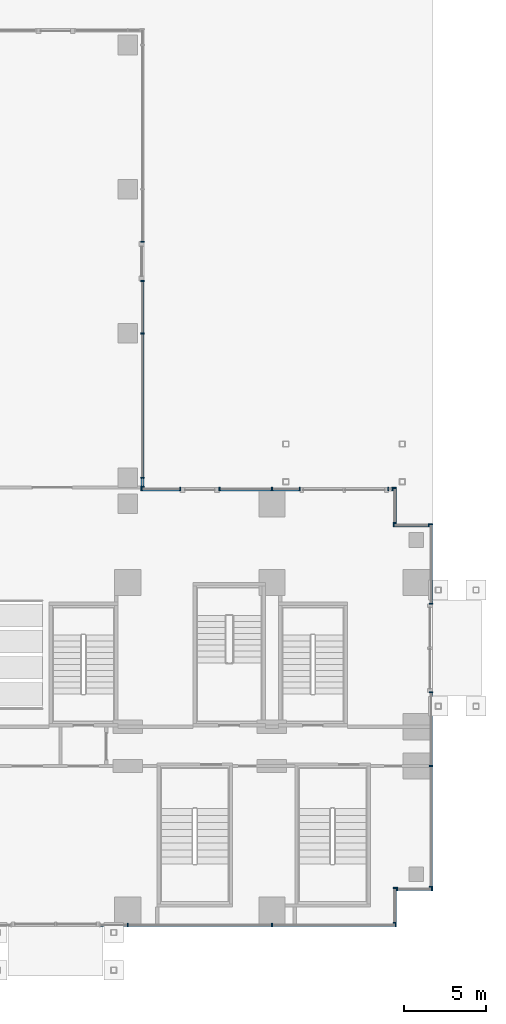
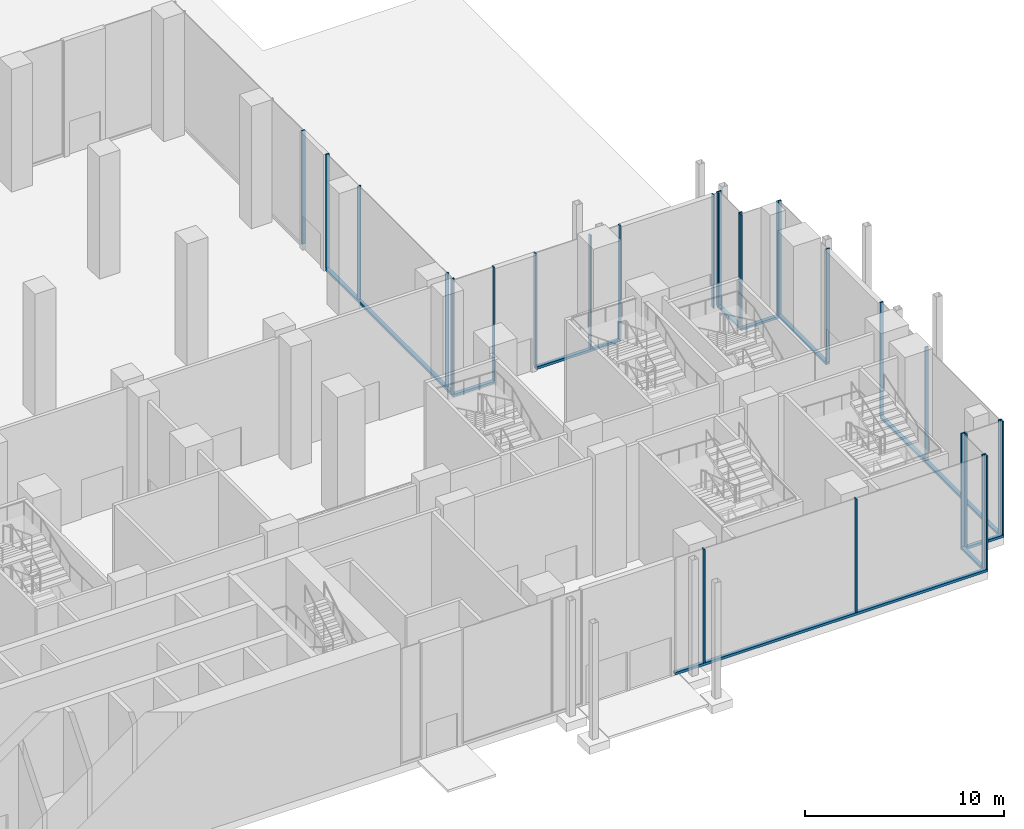
# One storey, part 13 of 41: 38 members, 12 elements without a shape of their own.
"""IFC4 building model written with IfcOpenShell, lengths in metres."""

from ifc_helpers import new_model, si_unit, direction, frame, origin, origin_2d, place, context, subcontext, project, spatial, rectangle, extrude, source, transform, mapped, material, material_profile, profile_set, type_object, element, aggregate, save


model = new_model("IFC4")

# Units and contexts
model_context = context("Model", 3, precision=1e-05, world=origin(), true_north=direction((0.0, 1.0)))
body_context = subcontext(model_context, "Body", "Model", "MODEL_VIEW")
ifc_project = project(units=[si_unit("LENGTHUNIT", "METRE"), si_unit("AREAUNIT", "SQUARE_METRE"), si_unit("VOLUMEUNIT", "CUBIC_METRE"), si_unit("PLANEANGLEUNIT", "RADIAN"), si_unit("MASSUNIT", "GRAM", prefix="KILO")], contexts=[model_context])

# Site, building, storey
site_placement = place(None, origin())
site = spatial("IfcSite", under=ifc_project, at=site_placement, CompositionType="ELEMENT")
building_placement = place(site_placement, origin())
building = spatial("IfcBuilding", under=site, at=building_placement, Name="Kemantara Hotel Tower", CompositionType="ELEMENT")
storey_placement = place(building_placement, origin())
storey = spatial("IfcBuildingStorey", under=building, at=storey_placement, Name="L00", CompositionType="ELEMENT", Elevation=0.0)

# Curtain wall, member
ifc_material_1 = material(Name="Laminated tinted insulated glass 44 mm", Category="glass")
curtain_wall_type = type_object("IfcCurtainWallType", Name="PODIUM GLASS CURTAIN WALL", PredefinedType="USERDEFINED", material=ifc_material_1)
curtain_wall_1_placement = place(storey_placement, origin())
curtain_wall_1 = element("IfcCurtainWall", 1, at=curtain_wall_1_placement, inside=storey, type_object=curtain_wall_type, Name="CW1 L00 POD-R01-5", ObjectType="PODIUM GLASS CURTAIN WALL", PredefinedType="USERDEFINED")
ifc_material_2 = material(Name="Aluminium 6063-T6 bronze anodised", Category="aluminium")
ifc_material_profile_1 = material_profile(ifc_material_2, rectangle(XDim=0.199951171875, YDim=0.14990234375, at=origin_2d()), Name="PODIUM GLASS CURTAIN WALL TRANSOM")
ifc_profile_set_1 = profile_set([ifc_material_profile_1], Name="Aluminium 6063-T6 bronze anodised")
member_type_1 = type_object("IfcMemberType", Name="PODIUM GLASS CURTAIN WALL TRANSOM", PredefinedType="USERDEFINED", material=ifc_profile_set_1)
member_1_placement = place(storey_placement, frame((60.89990234375, 0.10009765625, 0.074951171875), z_axis=(1.0, 0.0, 0.0), x_axis=(0.0, 1.0, 0.0)))
member_1 = element("IfcMember", 2, at=member_1_placement, type_object=member_type_1, Name="CW1 sill transom POD-R01-5", ObjectType="TRANSOM", PredefinedType="USERDEFINED", context=body_context, shape_type="SweptSolid", body=[
    extrude(rectangle(XDim=0.199951171875, YDim=0.14990234375, at=origin_2d()), origin(), (0.0, 0.0, 1.0), 18.10009765625),
])

curtain_wall_2_placement = place(storey_placement, origin())
curtain_wall_2 = element("IfcCurtainWall", 3, at=curtain_wall_2_placement, inside=storey, type_object=curtain_wall_type, Name="CW1 L00 POD-R04-1", ObjectType="PODIUM GLASS CURTAIN WALL", PredefinedType="USERDEFINED")
member_2_placement = place(storey_placement, frame((81.10009765625, 2.39990234375, 0.074951171875), z_axis=(0.0, 1.0, 0.0), x_axis=(-1.0, 0.0, 0.0)))
member_2 = element("IfcMember", 4, at=member_2_placement, type_object=member_type_1, Name="CW1 sill transom POD-R04-1", ObjectType="TRANSOM", PredefinedType="USERDEFINED", context=body_context, shape_type="SweptSolid", body=[
    extrude(rectangle(XDim=0.199951171875, YDim=0.14990234375, at=origin_2d()), origin(), (0.0, 0.0, 1.0), 11.900146484375),
])

curtain_wall_3_placement = place(storey_placement, origin())
curtain_wall_3 = element("IfcCurtainWall", 5, at=curtain_wall_3_placement, inside=storey, type_object=curtain_wall_type, Name="CW1 L00 POD-R04-2", ObjectType="PODIUM GLASS CURTAIN WALL", PredefinedType="USERDEFINED")
member_3_placement = place(storey_placement, frame((81.10009765625, 19.699951171875, 0.074951171875), z_axis=(0.0, 1.0, 0.0), x_axis=(-1.0, 0.0, 0.0)))
member_3 = element("IfcMember", 6, at=member_3_placement, type_object=member_type_1, Name="CW1 sill transom POD-R04-2", ObjectType="TRANSOM", PredefinedType="USERDEFINED", context=body_context, shape_type="SweptSolid", body=[
    extrude(rectangle(XDim=0.199951171875, YDim=0.14990234375, at=origin_2d()), origin(), (0.0, 0.0, 1.0), 4.900146484375),
])

curtain_wall_4_placement = place(storey_placement, origin())
curtain_wall_4 = element("IfcCurtainWall", 7, at=curtain_wall_4_placement, inside=storey, type_object=curtain_wall_type, Name="CW1 L00 POD-R07-2", ObjectType="PODIUM GLASS CURTAIN WALL", PredefinedType="USERDEFINED")
member_4_placement = place(storey_placement, frame((73.10009765625, 26.699951171875, 0.074951171875), z_axis=(-1.0, 0.0, 0.0), x_axis=(0.0, -1.0, 0.0)))
member_4 = element("IfcMember", 8, at=member_4_placement, type_object=member_type_1, Name="CW1 sill transom POD-R07-2", ObjectType="TRANSOM", PredefinedType="USERDEFINED", context=body_context, shape_type="SweptSolid", body=[
    extrude(rectangle(XDim=0.199951171875, YDim=0.14990234375, at=origin_2d()), origin(), (0.0, 0.0, 1.0), 4.900146484375),
])

curtain_wall_5_placement = place(storey_placement, origin())
curtain_wall_5 = element("IfcCurtainWall", 9, at=curtain_wall_5_placement, inside=storey, type_object=curtain_wall_type, Name="CW1 L00 POD-R07-3", ObjectType="PODIUM GLASS CURTAIN WALL", PredefinedType="USERDEFINED")
member_5_placement = place(storey_placement, frame((65.800048828125, 26.699951171875, 0.074951171875), z_axis=(-1.0, 0.0, 0.0), x_axis=(0.0, -1.0, 0.0)))
member_5 = element("IfcMember", 10, at=member_5_placement, type_object=member_type_1, Name="CW1 sill transom POD-R07-3", ObjectType="TRANSOM", PredefinedType="USERDEFINED", context=body_context, shape_type="SweptSolid", body=[
    extrude(rectangle(XDim=0.199951171875, YDim=0.14990234375, at=origin_2d()), origin(), (0.0, 0.0, 1.0), 2.400146484375),
])

curtain_wall_6_placement = place(storey_placement, origin())
curtain_wall_6 = element("IfcCurtainWall", 11, at=curtain_wall_6_placement, inside=storey, type_object=curtain_wall_type, Name="CW1 L00 POD-R08-1", ObjectType="PODIUM GLASS CURTAIN WALL", PredefinedType="USERDEFINED")
member_6_placement = place(storey_placement, frame((63.5, 26.800048828125, 0.074951171875), z_axis=(0.0, 1.0, 0.0), x_axis=(-1.0, 0.0, 0.0)))
member_6 = element("IfcMember", 12, at=member_6_placement, type_object=member_type_1, Name="CW1 sill transom POD-R08-1", ObjectType="TRANSOM", PredefinedType="USERDEFINED", context=body_context, shape_type="SweptSolid", body=[
    extrude(rectangle(XDim=0.199951171875, YDim=0.14990234375, at=origin_2d()), origin(), (0.0, 0.0, 1.0), 12.599853515625),
])

curtain_wall_7_placement = place(storey_placement, origin())
curtain_wall_7 = element("IfcCurtainWall", 13, at=curtain_wall_7_placement, inside=storey, type_object=curtain_wall_type, Name="CW1 L00 POD-R02-1", ObjectType="PODIUM GLASS CURTAIN WALL", PredefinedType="USERDEFINED")
member_7_placement = place(storey_placement, frame((78.89990234375, 0.199951171875, 0.074951171875), z_axis=(0.0, 1.0, 0.0), x_axis=(-1.0, 0.0, 0.0)))
member_7 = element("IfcMember", 14, at=member_7_placement, type_object=member_type_1, Name="CW1 sill transom POD-R02-1", ObjectType="TRANSOM", PredefinedType="USERDEFINED", context=body_context, shape_type="SweptSolid", body=[
    extrude(rectangle(XDim=0.199951171875, YDim=0.14990234375, at=origin_2d()), origin(), (0.0, 0.0, 1.0), 2.199951171875),
])

curtain_wall_8_placement = place(storey_placement, origin())
curtain_wall_8 = element("IfcCurtainWall", 15, at=curtain_wall_8_placement, inside=storey, type_object=curtain_wall_type, Name="CW1 L00 POD-R03-1", ObjectType="PODIUM GLASS CURTAIN WALL", PredefinedType="USERDEFINED")
member_8_placement = place(storey_placement, frame((79.0, 2.300048828125, 0.074951171875), z_axis=(1.0, 0.0, 0.0), x_axis=(0.0, 1.0, 0.0)))
member_8 = element("IfcMember", 16, at=member_8_placement, type_object=member_type_1, Name="CW1 sill transom POD-R03-1", ObjectType="TRANSOM", PredefinedType="USERDEFINED", context=body_context, shape_type="SweptSolid", body=[
    extrude(rectangle(XDim=0.199951171875, YDim=0.14990234375, at=origin_2d()), origin(), (0.0, 0.0, 1.0), 2.199951171875),
])

curtain_wall_9_placement = place(storey_placement, origin())
curtain_wall_9 = element("IfcCurtainWall", 17, at=curtain_wall_9_placement, inside=storey, type_object=curtain_wall_type, Name="CW1 L00 POD-R05-1", ObjectType="PODIUM GLASS CURTAIN WALL", PredefinedType="USERDEFINED")
member_9_placement = place(storey_placement, frame((81.0, 24.5, 0.074951171875), z_axis=(-1.0, 0.0, 0.0), x_axis=(0.0, -1.0, 0.0)))
member_9 = element("IfcMember", 18, at=member_9_placement, type_object=member_type_1, Name="CW1 sill transom POD-R05-1", ObjectType="TRANSOM", PredefinedType="USERDEFINED", context=body_context, shape_type="SweptSolid", body=[
    extrude(rectangle(XDim=0.199951171875, YDim=0.14990234375, at=origin_2d()), origin(), (0.0, 0.0, 1.0), 2.199951171875),
])

curtain_wall_10_placement = place(storey_placement, origin())
curtain_wall_10 = element("IfcCurtainWall", 19, at=curtain_wall_10_placement, inside=storey, type_object=curtain_wall_type, Name="CW1 L00 POD-R06-1", ObjectType="PODIUM GLASS CURTAIN WALL", PredefinedType="USERDEFINED")
member_10_placement = place(storey_placement, frame((78.89990234375, 24.60009765625, 0.074951171875), z_axis=(0.0, 1.0, 0.0), x_axis=(-1.0, 0.0, 0.0)))
member_10 = element("IfcMember", 20, at=member_10_placement, type_object=member_type_1, Name="CW1 sill transom POD-R06-1", ObjectType="TRANSOM", PredefinedType="USERDEFINED", context=body_context, shape_type="SweptSolid", body=[
    extrude(rectangle(XDim=0.199951171875, YDim=0.14990234375, at=origin_2d()), origin(), (0.0, 0.0, 1.0), 2.199951171875),
])

# Member
ifc_material_profile_2 = material_profile(ifc_material_2, rectangle(XDim=0.199951171875, YDim=0.074951171875, at=origin_2d()), Name="PODIUM GLASS CURTAIN WALL MULLION")
ifc_profile_set_2 = profile_set([ifc_material_profile_2], Name="Aluminium 6063-T6 bronze anodised")
member_type_2 = type_object("IfcMemberType", Name="PODIUM GLASS CURTAIN WALL MULLION", PredefinedType="MULLION", material=ifc_profile_set_2)
shared_shape = source(origin(), body_context, "Body", "SweptSolid", [
    extrude(rectangle(XDim=0.199951171875, YDim=0.074951171875, at=origin_2d()), origin(), (0.0, 0.0, 1.0), 6.9501953125),
])
member_11_placement = place(storey_placement, frame((62.60009765625, 0.10009765625, 0.14990234375), z_axis=(0.0, 0.0, 1.0), x_axis=(0.0, 1.0, 0.0)))
member_11 = element("IfcMember", 21, at=member_11_placement, type_object=member_type_2, Name="CW1 mullion POD-R01-5.2", PredefinedType="MULLION", context=body_context, shape_type="MappedRepresentation", body=[
    mapped(shared_shape, transform((0.0, 0.0, 0.0))),
])

member_12_placement = place(storey_placement, frame((71.39990234375, 0.10009765625, 0.14990234375), z_axis=(0.0, 0.0, 1.0), x_axis=(0.0, 1.0, 0.0)))
member_12 = element("IfcMember", 22, at=member_12_placement, type_object=member_type_2, Name="CW1 mullion POD-R01-5.3", PredefinedType="MULLION", context=body_context, shape_type="MappedRepresentation", body=[
    mapped(shared_shape, transform((0.0, 0.0, 0.0))),
])

member_13_placement = place(storey_placement, frame((78.96240234375, 0.10009765625, 0.14990234375), z_axis=(0.0, 0.0, 1.0), x_axis=(0.0, 1.0, 0.0)))
member_13 = element("IfcMember", 23, at=member_13_placement, type_object=member_type_2, Name="CW1 mullion POD-R01-5.4", PredefinedType="MULLION", context=body_context, shape_type="MappedRepresentation", body=[
    mapped(shared_shape, transform((0.0, 0.0, 0.0))),
])

aggregate(curtain_wall_1, [member_1, member_11, member_12, member_13])

member_14_placement = place(storey_placement, frame((81.10009765625, 2.4375, 0.14990234375), z_axis=(0.0, 0.0, 1.0), x_axis=(-1.0, 0.0, 0.0)))
member_14 = element("IfcMember", 24, at=member_14_placement, type_object=member_type_2, Name="CW1 mullion POD-R04-1.1", PredefinedType="MULLION", context=body_context, shape_type="MappedRepresentation", body=[
    mapped(shared_shape, transform((0.0, 0.0, 0.0))),
])

member_15_placement = place(storey_placement, frame((81.10009765625, 9.800048828125, 0.14990234375), z_axis=(0.0, 0.0, 1.0), x_axis=(-1.0, 0.0, 0.0)))
member_15 = element("IfcMember", 25, at=member_15_placement, type_object=member_type_2, Name="CW1 mullion POD-R04-1.2", PredefinedType="MULLION", context=body_context, shape_type="MappedRepresentation", body=[
    mapped(shared_shape, transform((0.0, 0.0, 0.0))),
])

member_16_placement = place(storey_placement, frame((81.10009765625, 14.300048828125, 0.14990234375), z_axis=(0.0, 0.0, 1.0), x_axis=(-1.0, 0.0, 0.0)))
member_16 = element("IfcMember", 26, at=member_16_placement, type_object=member_type_2, Name="CW1 mullion POD-R04-1.3", PredefinedType="MULLION", context=body_context, shape_type="MappedRepresentation", body=[
    mapped(shared_shape, transform((0.0, 0.0, 0.0))),
])

aggregate(curtain_wall_2, [member_2, member_14, member_15, member_16])

member_17_placement = place(storey_placement, frame((81.10009765625, 19.699951171875, 0.14990234375), z_axis=(0.0, 0.0, 1.0), x_axis=(-1.0, 0.0, 0.0)))
member_17 = element("IfcMember", 27, at=member_17_placement, type_object=member_type_2, Name="CW1 mullion POD-R04-2.1", PredefinedType="MULLION", context=body_context, shape_type="MappedRepresentation", body=[
    mapped(shared_shape, transform((0.0, 0.0, 0.0))),
])

member_18_placement = place(storey_placement, frame((81.10009765625, 24.5625, 0.14990234375), z_axis=(0.0, 0.0, 1.0), x_axis=(-1.0, 0.0, 0.0)))
member_18 = element("IfcMember", 28, at=member_18_placement, type_object=member_type_2, Name="CW1 mullion POD-R04-2.2", PredefinedType="MULLION", context=body_context, shape_type="MappedRepresentation", body=[
    mapped(shared_shape, transform((0.0, 0.0, 0.0))),
])

aggregate(curtain_wall_3, [member_3, member_17, member_18])

# Curtain wall, members
curtain_wall_11_placement = place(storey_placement, origin())
curtain_wall_11 = element("IfcCurtainWall", 29, at=curtain_wall_11_placement, inside=storey, type_object=curtain_wall_type, Name="CW1 L00 POD-R07-1", ObjectType="PODIUM GLASS CURTAIN WALL", PredefinedType="USERDEFINED")
member_19_placement = place(storey_placement, frame((78.762451171875, 26.699951171875, 0.14990234375), z_axis=(0.0, 0.0, 1.0), x_axis=(0.0, -1.0, 0.0)))
member_19 = element("IfcMember", 30, at=member_19_placement, type_object=member_type_2, Name="CW1 mullion POD-R07-1.1", PredefinedType="MULLION", context=body_context, shape_type="MappedRepresentation", body=[
    mapped(shared_shape, transform((0.0, 0.0, 0.0))),
])
member_20_placement = place(storey_placement, frame((78.5, 26.699951171875, 0.14990234375), z_axis=(0.0, 0.0, 1.0), x_axis=(0.0, -1.0, 0.0)))
member_20 = element("IfcMember", 31, at=member_20_placement, type_object=member_type_2, Name="CW1 mullion POD-R07-1.2", PredefinedType="MULLION", context=body_context, shape_type="MappedRepresentation", body=[
    mapped(shared_shape, transform((0.0, 0.0, 0.0))),
])
aggregate(curtain_wall_11, [member_19, member_20])

# Member
member_21_placement = place(storey_placement, frame((73.10009765625, 26.699951171875, 0.14990234375), z_axis=(0.0, 0.0, 1.0), x_axis=(0.0, -1.0, 0.0)))
member_21 = element("IfcMember", 32, at=member_21_placement, type_object=member_type_2, Name="CW1 mullion POD-R07-2.1", PredefinedType="MULLION", context=body_context, shape_type="MappedRepresentation", body=[
    mapped(shared_shape, transform((0.0, 0.0, 0.0))),
])

member_22_placement = place(storey_placement, frame((71.39990234375, 26.699951171875, 0.14990234375), z_axis=(0.0, 0.0, 1.0), x_axis=(0.0, -1.0, 0.0)))
member_22 = element("IfcMember", 33, at=member_22_placement, type_object=member_type_2, Name="CW1 mullion POD-R07-2.2", PredefinedType="MULLION", context=body_context, shape_type="MappedRepresentation", body=[
    mapped(shared_shape, transform((0.0, 0.0, 0.0))),
])

member_23_placement = place(storey_placement, frame((68.199951171875, 26.699951171875, 0.14990234375), z_axis=(0.0, 0.0, 1.0), x_axis=(0.0, -1.0, 0.0)))
member_23 = element("IfcMember", 34, at=member_23_placement, type_object=member_type_2, Name="CW1 mullion POD-R07-2.3", PredefinedType="MULLION", context=body_context, shape_type="MappedRepresentation", body=[
    mapped(shared_shape, transform((0.0, 0.0, 0.0))),
])

aggregate(curtain_wall_4, [member_4, member_21, member_22, member_23])

member_24_placement = place(storey_placement, frame((65.800048828125, 26.699951171875, 0.14990234375), z_axis=(0.0, 0.0, 1.0), x_axis=(0.0, -1.0, 0.0)))
member_24 = element("IfcMember", 35, at=member_24_placement, type_object=member_type_2, Name="CW1 mullion POD-R07-3.1", PredefinedType="MULLION", context=body_context, shape_type="MappedRepresentation", body=[
    mapped(shared_shape, transform((0.0, 0.0, 0.0))),
])

member_25_placement = place(storey_placement, frame((63.4375, 26.699951171875, 0.14990234375), z_axis=(0.0, 0.0, 1.0), x_axis=(0.0, -1.0, 0.0)))
member_25 = element("IfcMember", 36, at=member_25_placement, type_object=member_type_2, Name="CW1 mullion POD-R07-3.2", PredefinedType="MULLION", context=body_context, shape_type="MappedRepresentation", body=[
    mapped(shared_shape, transform((0.0, 0.0, 0.0))),
])

aggregate(curtain_wall_5, [member_5, member_24, member_25])

member_26_placement = place(storey_placement, frame((63.5, 26.83740234375, 0.14990234375), z_axis=(0.0, 0.0, 1.0), x_axis=(-1.0, 0.0, 0.0)))
member_26 = element("IfcMember", 37, at=member_26_placement, type_object=member_type_2, Name="CW1 mullion POD-R08-1.1", PredefinedType="MULLION", context=body_context, shape_type="MappedRepresentation", body=[
    mapped(shared_shape, transform((0.0, 0.0, 0.0))),
])

member_27_placement = place(storey_placement, frame((63.5, 27.39990234375, 0.14990234375), z_axis=(0.0, 0.0, 1.0), x_axis=(-1.0, 0.0, 0.0)))
member_27 = element("IfcMember", 38, at=member_27_placement, type_object=member_type_2, Name="CW1 mullion POD-R08-1.2", PredefinedType="MULLION", context=body_context, shape_type="MappedRepresentation", body=[
    mapped(shared_shape, transform((0.0, 0.0, 0.0))),
])

member_28_placement = place(storey_placement, frame((63.5, 36.199951171875, 0.14990234375), z_axis=(0.0, 0.0, 1.0), x_axis=(-1.0, 0.0, 0.0)))
member_28 = element("IfcMember", 39, at=member_28_placement, type_object=member_type_2, Name="CW1 mullion POD-R08-1.3", PredefinedType="MULLION", context=body_context, shape_type="MappedRepresentation", body=[
    mapped(shared_shape, transform((0.0, 0.0, 0.0))),
])

member_29_placement = place(storey_placement, frame((63.5, 39.39990234375, 0.14990234375), z_axis=(0.0, 0.0, 1.0), x_axis=(-1.0, 0.0, 0.0)))
member_29 = element("IfcMember", 40, at=member_29_placement, type_object=member_type_2, Name="CW1 mullion POD-R08-1.4", PredefinedType="MULLION", context=body_context, shape_type="MappedRepresentation", body=[
    mapped(shared_shape, transform((0.0, 0.0, 0.0))),
])

aggregate(curtain_wall_6, [member_6, member_26, member_27, member_28, member_29])

# Curtain wall, member
curtain_wall_12_placement = place(storey_placement, origin())
curtain_wall_12 = element("IfcCurtainWall", 41, at=curtain_wall_12_placement, inside=storey, type_object=curtain_wall_type, Name="CW1 L00 POD-R08-2", ObjectType="PODIUM GLASS CURTAIN WALL", PredefinedType="USERDEFINED")
member_30_placement = place(storey_placement, frame((63.5, 41.800048828125, 0.14990234375), z_axis=(0.0, 0.0, 1.0), x_axis=(-1.0, 0.0, 0.0)))
member_30 = element("IfcMember", 42, at=member_30_placement, type_object=member_type_2, Name="CW1 mullion POD-R08-2.1", PredefinedType="MULLION", context=body_context, shape_type="MappedRepresentation", body=[
    mapped(shared_shape, transform((0.0, 0.0, 0.0))),
])
aggregate(curtain_wall_12, [member_30])

# Member
member_31_placement = place(storey_placement, frame((78.89990234375, 0.237548828125, 0.14990234375), z_axis=(0.0, 0.0, 1.0), x_axis=(-1.0, 0.0, 0.0)))
member_31 = element("IfcMember", 43, at=member_31_placement, type_object=member_type_2, Name="CW1 mullion POD-R02-1.1", PredefinedType="MULLION", context=body_context, shape_type="MappedRepresentation", body=[
    mapped(shared_shape, transform((0.0, 0.0, 0.0))),
])

member_32_placement = place(storey_placement, frame((78.89990234375, 2.362548828125, 0.14990234375), z_axis=(0.0, 0.0, 1.0), x_axis=(-1.0, 0.0, 0.0)))
member_32 = element("IfcMember", 44, at=member_32_placement, type_object=member_type_2, Name="CW1 mullion POD-R02-1.2", PredefinedType="MULLION", context=body_context, shape_type="MappedRepresentation", body=[
    mapped(shared_shape, transform((0.0, 0.0, 0.0))),
])

aggregate(curtain_wall_7, [member_7, member_31, member_32])

member_33_placement = place(storey_placement, frame((79.03759765625, 2.300048828125, 0.14990234375), z_axis=(0.0, 0.0, 1.0), x_axis=(0.0, 1.0, 0.0)))
member_33 = element("IfcMember", 45, at=member_33_placement, type_object=member_type_2, Name="CW1 mullion POD-R03-1.1", PredefinedType="MULLION", context=body_context, shape_type="MappedRepresentation", body=[
    mapped(shared_shape, transform((0.0, 0.0, 0.0))),
])

member_34_placement = place(storey_placement, frame((81.16259765625, 2.300048828125, 0.14990234375), z_axis=(0.0, 0.0, 1.0), x_axis=(0.0, 1.0, 0.0)))
member_34 = element("IfcMember", 46, at=member_34_placement, type_object=member_type_2, Name="CW1 mullion POD-R03-1.2", PredefinedType="MULLION", context=body_context, shape_type="MappedRepresentation", body=[
    mapped(shared_shape, transform((0.0, 0.0, 0.0))),
])

aggregate(curtain_wall_8, [member_8, member_33, member_34])

member_35_placement = place(storey_placement, frame((80.96240234375, 24.5, 0.14990234375), z_axis=(0.0, 0.0, 1.0), x_axis=(0.0, -1.0, 0.0)))
member_35 = element("IfcMember", 47, at=member_35_placement, type_object=member_type_2, Name="CW1 mullion POD-R05-1.1", PredefinedType="MULLION", context=body_context, shape_type="MappedRepresentation", body=[
    mapped(shared_shape, transform((0.0, 0.0, 0.0))),
])

member_36_placement = place(storey_placement, frame((78.83740234375, 24.5, 0.14990234375), z_axis=(0.0, 0.0, 1.0), x_axis=(0.0, -1.0, 0.0)))
member_36 = element("IfcMember", 48, at=member_36_placement, type_object=member_type_2, Name="CW1 mullion POD-R05-1.2", PredefinedType="MULLION", context=body_context, shape_type="MappedRepresentation", body=[
    mapped(shared_shape, transform((0.0, 0.0, 0.0))),
])

aggregate(curtain_wall_9, [member_9, member_35, member_36])

member_37_placement = place(storey_placement, frame((78.89990234375, 24.637451171875, 0.14990234375), z_axis=(0.0, 0.0, 1.0), x_axis=(-1.0, 0.0, 0.0)))
member_37 = element("IfcMember", 49, at=member_37_placement, type_object=member_type_2, Name="CW1 mullion POD-R06-1.1", PredefinedType="MULLION", context=body_context, shape_type="MappedRepresentation", body=[
    mapped(shared_shape, transform((0.0, 0.0, 0.0))),
])

member_38_placement = place(storey_placement, frame((78.89990234375, 26.762451171875, 0.14990234375), z_axis=(0.0, 0.0, 1.0), x_axis=(-1.0, 0.0, 0.0)))
member_38 = element("IfcMember", 50, at=member_38_placement, type_object=member_type_2, Name="CW1 mullion POD-R06-1.2", PredefinedType="MULLION", context=body_context, shape_type="MappedRepresentation", body=[
    mapped(shared_shape, transform((0.0, 0.0, 0.0))),
])

aggregate(curtain_wall_10, [member_10, member_37, member_38])

save(model, "model.ifc")
